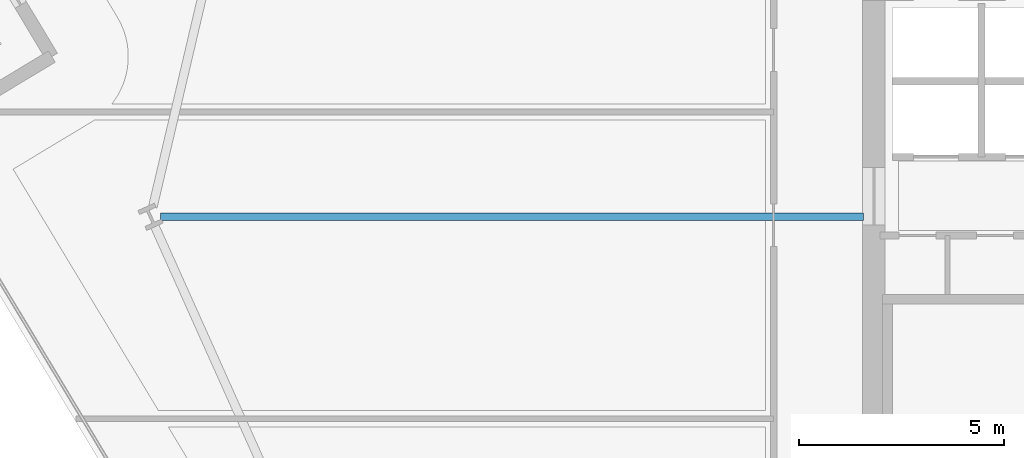
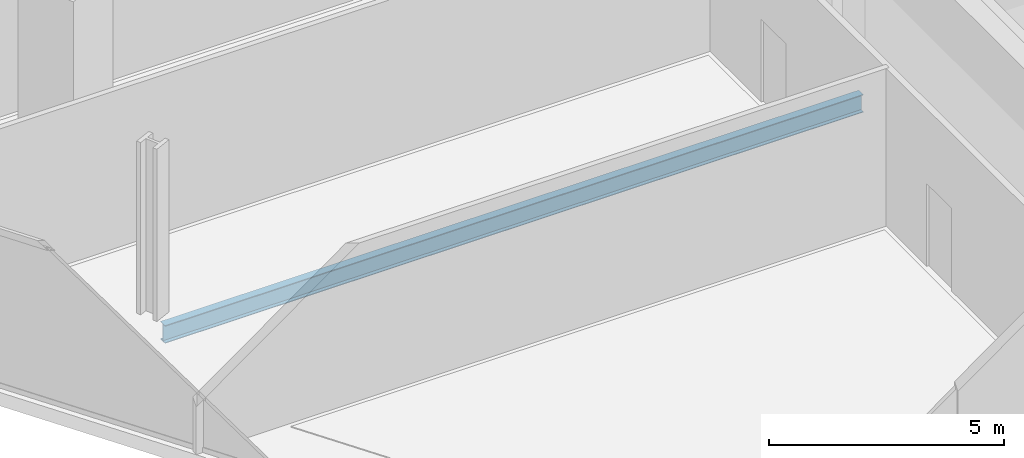
# One storey, part 12 of 30: 1 beam.
"""IFC4 building model written with IfcOpenShell, lengths in metres."""

from ifc_helpers import new_model, si_unit, direction, frame, origin, origin_2d, place, context, subcontext, project, spatial, i_section, extrude, material, material_profile, profile_set, type_object, element, save


model = new_model("IFC4")

# Units and contexts
model_context = context("Model", 3, precision=1e-05, world=origin(), true_north=direction((0.0, 1.0)))
body_context = subcontext(model_context, "Body", "Model", "MODEL_VIEW")
ifc_project = project(units=[si_unit("LENGTHUNIT", "METRE"), si_unit("AREAUNIT", "SQUARE_METRE"), si_unit("VOLUMEUNIT", "CUBIC_METRE"), si_unit("PLANEANGLEUNIT", "RADIAN"), si_unit("MASSUNIT", "GRAM", prefix="KILO")], contexts=[model_context])

# Site, building, storey
site_placement = place(None, origin())
site = spatial("IfcSite", under=ifc_project, at=site_placement, CompositionType="ELEMENT")
building_placement = place(site_placement, origin())
building = spatial("IfcBuilding", under=site, at=building_placement, Name="Haldenkirk Collegiate Tower", CompositionType="ELEMENT")
storey_placement = place(building_placement, frame((0.0, 0.0, 131.699951171875)))
storey = spatial("IfcBuildingStorey", under=building, at=storey_placement, Name="L32", CompositionType="ELEMENT", Elevation=131.699951171875)

# Beam
ifc_material = material(Name="Steel ASTM A992 Grade 50", Category="steel")
ifc_material_profile = material_profile(ifc_material, i_section(OverallWidth=0.19189453125, OverallDepth=0.462890625, WebThickness=0.010498046875, FlangeThickness=0.017578125, at=origin_2d()), Name="W18X60")
ifc_profile_set = profile_set([ifc_material_profile], Name="Steel ASTM A992 Grade 50")
beam_type = type_object("IfcBeamType", Name="BM-JOIST-W18X60", PredefinedType="JOIST", material=ifc_profile_set)
beam_placement = place(storey_placement, frame((9.563232421875, 28.436767578125, -0.58154296875), z_axis=(1.0, 0.0, 0.0), x_axis=(0.0, 1.0, 0.0)))
element("IfcBeam", 1, at=beam_placement, inside=storey, type_object=beam_type, Name="L32 composite floor joist 14", PredefinedType="JOIST", context=body_context, shape_type="SweptSolid", body=[
    extrude(i_section(OverallWidth=0.19189453125, OverallDepth=0.462890625, WebThickness=0.010498046875, FlangeThickness=0.017578125, at=origin_2d()), origin(), (0.0, 0.0, 1.0), 17.181884765625),
])

save(model, "model.ifc")
